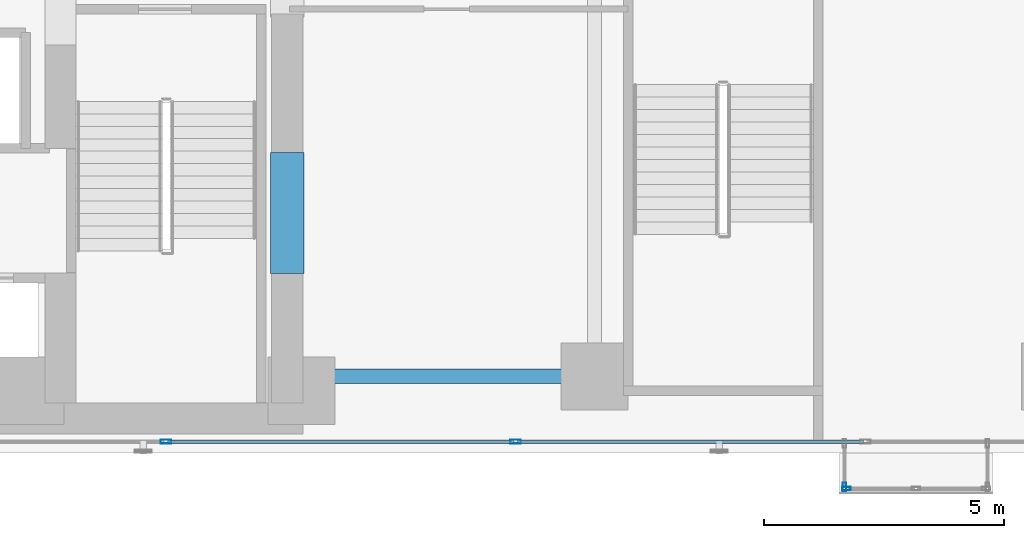
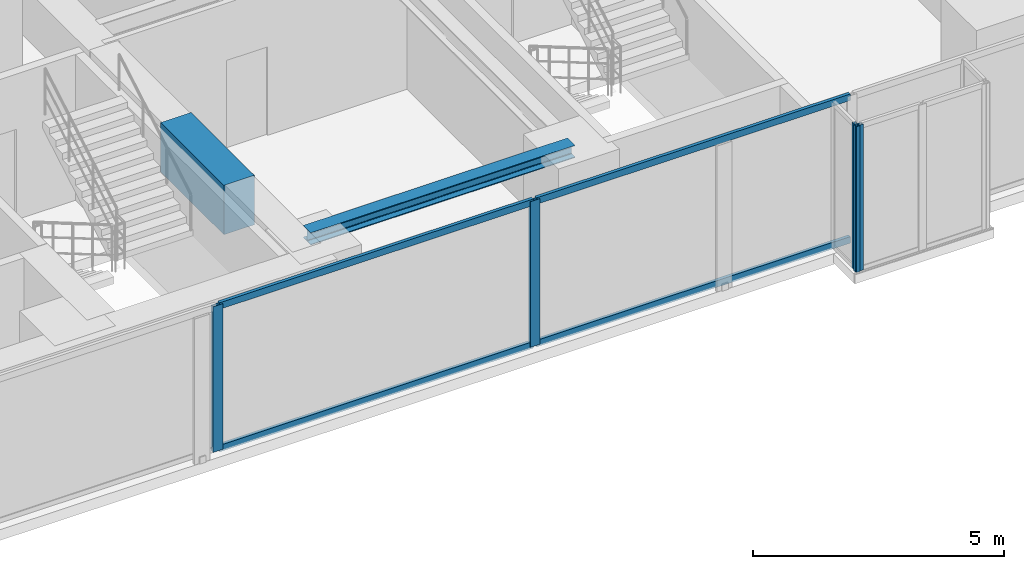
# One storey, part 4 of 28: 8 members, 2 beams, 3 elements without a shape of their own.
"""IFC4 building model written with IfcOpenShell, lengths in metres."""

from ifc_helpers import new_model, si_unit, direction, frame, origin, origin_with_axes, origin_2d, place, context, subcontext, project, spatial, rectangle, hollow_rectangle, i_section, extrude, source, transform, mapped, material, layer, layer_set, material_profile, profile_set, type_object, element, aggregate, save


model = new_model("IFC4")

# Units and contexts
model_context = context("Model", 3, precision=1e-05, world=origin(), true_north=direction((0.0, 1.0)))
body_context = subcontext(model_context, "Body", "Model", "MODEL_VIEW")
ifc_project = project(units=[si_unit("LENGTHUNIT", "METRE"), si_unit("AREAUNIT", "SQUARE_METRE"), si_unit("VOLUMEUNIT", "CUBIC_METRE"), si_unit("PLANEANGLEUNIT", "RADIAN"), si_unit("MASSUNIT", "GRAM", prefix="KILO")], contexts=[model_context])

# Site, building, storey
site_placement = place(None, origin())
site = spatial("IfcSite", under=ifc_project, at=site_placement, CompositionType="ELEMENT")
building_placement = place(site_placement, origin())
building = spatial("IfcBuilding", under=site, at=building_placement, Name="Kolvaren Waterfront Exchange", CompositionType="ELEMENT")
storey_placement = place(building_placement, frame((0.0, 0.0, 114.5)))
storey = spatial("IfcBuildingStorey", under=building, at=storey_placement, Name="L29", CompositionType="ELEMENT", Elevation=114.5)

# Beams
ifc_material_1 = material(Name="Steel S355", Category="steel")
ifc_material_profile_1 = material_profile(ifc_material_1, i_section(OverallWidth=0.300048828125, OverallDepth=0.300048828125, WebThickness=0.010986328125, FlangeThickness=0.01904296875, FilletRadius=0.027099609375, at=origin_2d()), Name="HEB300")
ifc_profile_set_1 = profile_set([ifc_material_profile_1], Name="Steel S355")
beam_type_1 = type_object("IfcBeamType", Name="STR-BM-HEB300", PredefinedType="SPANDREL", material=ifc_profile_set_1)
beam_1_placement = place(storey_placement, frame((21.125, 5.199951171875, 3.389892578125), z_axis=(1.0, 0.0, 0.0), x_axis=(0.0, 1.0, 0.0)))
element("IfcBeam", 1, at=beam_1_placement, inside=storey, type_object=beam_type_1, Name="L29 east-arm spandrel S1", PredefinedType="SPANDREL", context=body_context, shape_type="SweptSolid", body=[
    extrude(i_section(OverallWidth=0.300048828125, OverallDepth=0.300048828125, WebThickness=0.010986328125, FlangeThickness=0.01904296875, FilletRadius=0.027099609375, at=origin_2d()), origin(), (0.0, 0.0, 1.0), 6.074951171875),
])
ifc_material_2 = material(Name="Concrete C70/85", Category="concrete")
ifc_material_profile_2 = material_profile(ifc_material_2, rectangle(XDim=0.699951171875, YDim=1.199951171875, at=origin_2d()), Name="RC-CB-1200x700")
ifc_profile_set_2 = profile_set([ifc_material_profile_2], Name="Concrete C70/85")
beam_type_2 = type_object("IfcBeamType", Name="STR-CB-1200", PredefinedType="SPANDREL", material=ifc_profile_set_2)
beam_2_placement = place(storey_placement, frame((20.800048828125, 7.340087890625, 2.93994140625), z_axis=(0.0, 1.0, 0.0), x_axis=(-1.0, 0.0, 0.0)))
element("IfcBeam", 2, at=beam_2_placement, inside=storey, type_object=beam_type_2, Name="L29 core coupling beam 1", PredefinedType="SPANDREL", context=body_context, shape_type="SweptSolid", body=[
    extrude(rectangle(XDim=0.699951171875, YDim=1.199951171875, at=origin_2d()), origin(), (0.0, 0.0, 1.0), 2.52001953125),
])

# Curtain wall, member
ifc_material_3 = material(Name="Anodised bronze aluminium 6063-T6", Category="aluminium")
ifc_layer_1 = layer(ifc_material_3, 0.219970703125, Name="Anodised bronze aluminium 6063-T6")
ifc_layer_set_1 = layer_set([ifc_layer_1], Name="Anodised bronze aluminium 6063-T6")
curtain_wall_type_1 = type_object("IfcCurtainWallType", Name="ARC-CW-SYS3", PredefinedType="USERDEFINED", material=ifc_layer_set_1)
curtain_wall_1_placement = place(storey_placement, origin())
curtain_wall_1 = element("IfcCurtainWall", 3, at=curtain_wall_1_placement, inside=storey, type_object=curtain_wall_type_1, Name="L29 stick curtain wall CW3 (CW-L29-BOX-W)", ObjectType="STICK CURTAIN WALL", PredefinedType="USERDEFINED")
ifc_material_profile_3 = material_profile(ifc_material_3, hollow_rectangle(XDim=0.074951171875, YDim=0.179931640625, WallThickness=0.00439453125, at=origin_2d()), Name="ALU-MUL-180x75x4.5")
ifc_profile_set_3 = profile_set([ifc_material_profile_3], Name="Anodised bronze aluminium 6063-T6")
member_type_1 = type_object("IfcMemberType", Name="ARC-CWM-180", PredefinedType="MULLION", material=ifc_profile_set_3)
shared_shape_1 = source(origin_with_axes(), body_context, "Body", "SweptSolid", [
    extrude(hollow_rectangle(XDim=0.074951171875, YDim=0.179931640625, WallThickness=0.00439453125, at=origin_2d()), origin(), (0.0, 0.0, 1.0), 3.5400390625),
])
member_1_placement = place(storey_placement, frame((32.409912109375, 2.8974609375, 0.0), z_axis=(0.0, 0.0, 1.0), x_axis=(1.0, 0.0, 0.0)))
member_1 = element("IfcMember", 4, at=member_1_placement, type_object=member_type_1, Name="CW3 mullion 2", PredefinedType="MULLION", context=body_context, shape_type="MappedRepresentation", body=[
    mapped(shared_shape_1, transform((0.0, 0.0, 0.0), x_axis=(1.0, 0.0, 0.0), y_axis=(0.0, 1.0, 0.0), z_axis=(0.0, 0.0, 1.0), scale=1.0)),
])
aggregate(curtain_wall_1, [member_1])

curtain_wall_2_placement = place(storey_placement, origin())
curtain_wall_2 = element("IfcCurtainWall", 5, at=curtain_wall_2_placement, inside=storey, type_object=curtain_wall_type_1, Name="L29 stick curtain wall CW3 (CW-L29-BOX)", ObjectType="STICK CURTAIN WALL", PredefinedType="USERDEFINED")
member_2_placement = place(storey_placement, frame((32.447509765625, 2.860107421875, 0.0), z_axis=(0.0, 0.0, 1.0), x_axis=(0.0, 1.0, 0.0)))
member_2 = element("IfcMember", 6, at=member_2_placement, type_object=member_type_1, Name="CW3 mullion 1", PredefinedType="MULLION", context=body_context, shape_type="MappedRepresentation", body=[
    mapped(shared_shape_1, transform((0.0, 0.0, 0.0), x_axis=(1.0, 0.0, 0.0), y_axis=(0.0, 1.0, 0.0), z_axis=(0.0, 0.0, 1.0), scale=1.0)),
])
aggregate(curtain_wall_2, [member_2])

# Curtain wall, members
ifc_layer_2 = layer(ifc_material_3, 0.219970703125, Name="Anodised bronze aluminium 6063-T6")
ifc_layer_set_2 = layer_set([ifc_layer_2], Name="Anodised bronze aluminium 6063-T6")
curtain_wall_type_2 = type_object("IfcCurtainWallType", Name="ARC-CW-SYS1", PredefinedType="USERDEFINED", material=ifc_layer_set_2)
curtain_wall_3_placement = place(storey_placement, origin())
curtain_wall_3 = element("IfcCurtainWall", 7, at=curtain_wall_3_placement, inside=storey, type_object=curtain_wall_type_2, Name="L29 stick curtain wall CW1 (CW-L29-S)", ObjectType="STICK CURTAIN WALL", PredefinedType="USERDEFINED")
ifc_material_4 = material(Name="Anodised aluminium 6063-T6", Category="aluminium")
ifc_material_profile_4 = material_profile(ifc_material_4, hollow_rectangle(XDim=0.080078125, YDim=0.219970703125, WallThickness=0.0048828125, at=origin_2d()), Name="ALU-MUL-220x80x5")
ifc_profile_set_4 = profile_set([ifc_material_profile_4], Name="Anodised aluminium 6063-T6")
member_type_2 = type_object("IfcMemberType", Name="ARC-CWM-220", PredefinedType="MULLION", material=ifc_profile_set_4)
shared_shape_2 = source(origin_with_axes(), body_context, "Body", "SweptSolid", [
    extrude(hollow_rectangle(XDim=0.080078125, YDim=0.219970703125, WallThickness=0.0048828125, at=origin_2d()), origin(), (0.0, 0.0, 1.0), 3.5400390625),
])
member_3_placement = place(storey_placement, frame((18.271484375, 3.840087890625, 0.0), z_axis=(0.0, 0.0, 1.0), x_axis=(0.0, 1.0, 0.0)))
member_3 = element("IfcMember", 8, at=member_3_placement, type_object=member_type_2, Name="CW1 mullion 3", PredefinedType="MULLION", context=body_context, shape_type="MappedRepresentation", body=[
    mapped(shared_shape_2, transform((0.0, 0.0, 0.0), x_axis=(1.0, 0.0, 0.0), y_axis=(0.0, 1.0, 0.0), z_axis=(0.0, 0.0, 1.0), scale=1.0)),
])
member_4_placement = place(storey_placement, frame((25.55712890625, 3.840087890625, 0.0), z_axis=(0.0, 0.0, 1.0), x_axis=(0.0, 1.0, 0.0)))
member_4 = element("IfcMember", 9, at=member_4_placement, type_object=member_type_2, Name="CW1 mullion 4", PredefinedType="MULLION", context=body_context, shape_type="MappedRepresentation", body=[
    mapped(shared_shape_2, transform((0.0, 0.0, 0.0), x_axis=(1.0, 0.0, 0.0), y_axis=(0.0, 1.0, 0.0), z_axis=(0.0, 0.0, 1.0), scale=1.0)),
])
ifc_material_profile_5 = material_profile(ifc_material_4, hollow_rectangle(XDim=0.074951171875, YDim=0.159912109375, WallThickness=0.00439453125, at=origin_2d()), Name="ALU-TRN-160x75x4.5")
ifc_profile_set_5 = profile_set([ifc_material_profile_5], Name="Anodised aluminium 6063-T6")
member_type_3 = type_object("IfcMemberType", Name="ARC-CWT-160", PredefinedType="USERDEFINED", material=ifc_profile_set_5)
shared_shape_3 = source(origin_with_axes(), body_context, "Body", "SweptSolid", [
    extrude(hollow_rectangle(XDim=0.074951171875, YDim=0.159912109375, WallThickness=0.00439453125, at=origin_2d()), origin(), (0.0, 0.0, 1.0), 7.205810546875),
])
member_5_placement = place(storey_placement, frame((25.59716796875, 3.840087890625, 0.03759765625), z_axis=(1.0, 0.0, 0.0), x_axis=(0.0, 1.0, 0.0)))
member_5 = element("IfcMember", 10, at=member_5_placement, type_object=member_type_3, Name="CW1 transom 4.1", ObjectType="TRANSOM", PredefinedType="USERDEFINED", context=body_context, shape_type="MappedRepresentation", body=[
    mapped(shared_shape_3, transform((0.0, 0.0, 0.0), x_axis=(1.0, 0.0, 0.0), y_axis=(0.0, 1.0, 0.0), z_axis=(0.0, 0.0, 1.0), scale=1.0)),
])
member_6_placement = place(storey_placement, frame((25.59716796875, 3.840087890625, 3.50244140625), z_axis=(1.0, 0.0, 0.0), x_axis=(0.0, 1.0, 0.0)))
member_6 = element("IfcMember", 11, at=member_6_placement, type_object=member_type_3, Name="CW1 transom 4.2", ObjectType="TRANSOM", PredefinedType="USERDEFINED", context=body_context, shape_type="MappedRepresentation", body=[
    mapped(shared_shape_3, transform((0.0, 0.0, 0.0), x_axis=(1.0, 0.0, 0.0), y_axis=(0.0, 1.0, 0.0), z_axis=(0.0, 0.0, 1.0), scale=1.0)),
])
shared_shape_4 = source(origin_with_axes(), body_context, "Body", "SweptSolid", [
    extrude(hollow_rectangle(XDim=0.074951171875, YDim=0.159912109375, WallThickness=0.00439453125, at=origin_2d()), origin(), (0.0, 0.0, 1.0), 7.20556640625),
])
member_7_placement = place(storey_placement, frame((18.3115234375, 3.840087890625, 0.03759765625), z_axis=(1.0, 0.0, 0.0), x_axis=(0.0, 1.0, 0.0)))
member_7 = element("IfcMember", 12, at=member_7_placement, type_object=member_type_3, Name="CW1 transom 3.1", ObjectType="TRANSOM", PredefinedType="USERDEFINED", context=body_context, shape_type="MappedRepresentation", body=[
    mapped(shared_shape_4, transform((0.0, 0.0, 0.0), x_axis=(1.0, 0.0, 0.0), y_axis=(0.0, 1.0, 0.0), z_axis=(0.0, 0.0, 1.0), scale=1.0)),
])
member_8_placement = place(storey_placement, frame((18.3115234375, 3.840087890625, 3.50244140625), z_axis=(1.0, 0.0, 0.0), x_axis=(0.0, 1.0, 0.0)))
member_8 = element("IfcMember", 13, at=member_8_placement, type_object=member_type_3, Name="CW1 transom 3.2", ObjectType="TRANSOM", PredefinedType="USERDEFINED", context=body_context, shape_type="MappedRepresentation", body=[
    mapped(shared_shape_4, transform((0.0, 0.0, 0.0), x_axis=(1.0, 0.0, 0.0), y_axis=(0.0, 1.0, 0.0), z_axis=(0.0, 0.0, 1.0), scale=1.0)),
])
aggregate(curtain_wall_3, [member_3, member_4, member_7, member_8, member_5, member_6])

save(model, "model.ifc")
